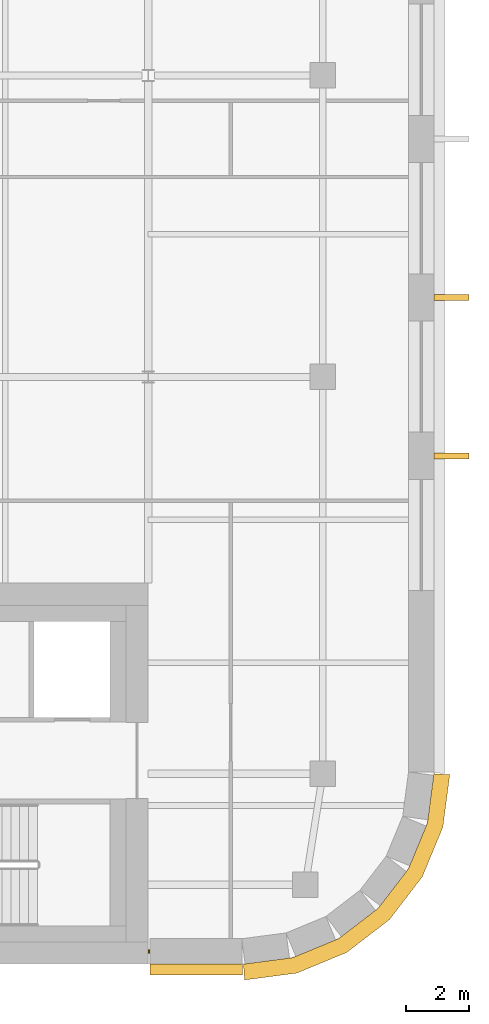
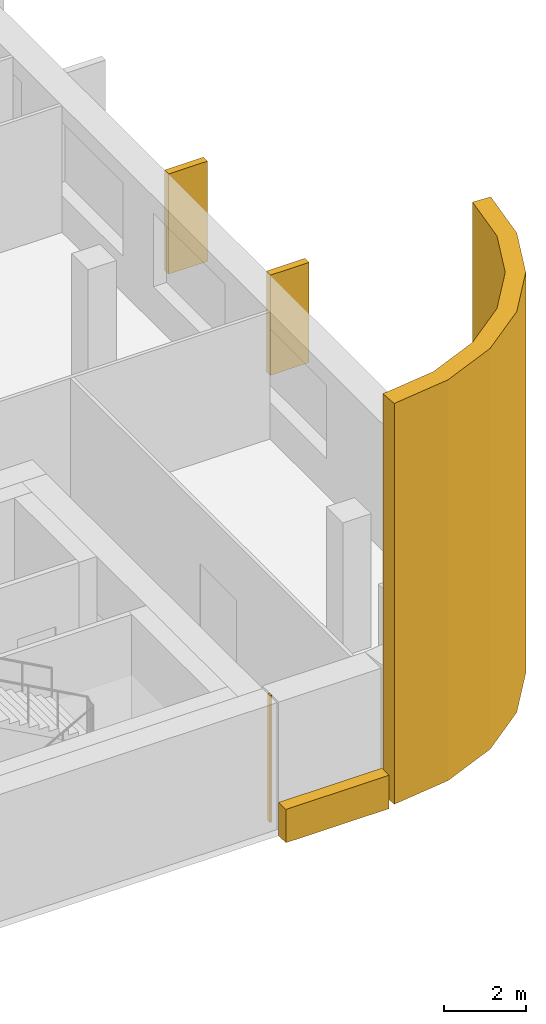
# One storey, part 15 of 16: 5 coverings.
"""IFC4 building model written with IfcOpenShell, lengths in metres."""

from ifc_helpers import new_model, si_unit, direction, frame, origin, origin_2d, place, context, subcontext, project, spatial, polyline, rectangle, outline, extrude, material, layer, layer_set, type_object, element, save


model = new_model("IFC4")

# Units and contexts
model_context = context("Model", 3, precision=1e-05, world=origin(), true_north=direction((0.0, 1.0)))
body_context = subcontext(model_context, "Body", "Model", "MODEL_VIEW")
ifc_project = project(units=[si_unit("LENGTHUNIT", "METRE"), si_unit("AREAUNIT", "SQUARE_METRE"), si_unit("VOLUMEUNIT", "CUBIC_METRE"), si_unit("PLANEANGLEUNIT", "RADIAN"), si_unit("MASSUNIT", "GRAM", prefix="KILO")], contexts=[model_context])

# Site, building, storey
site_placement = place(None, origin())
site = spatial("IfcSite", under=ifc_project, at=site_placement, CompositionType="ELEMENT")
building_placement = place(site_placement, origin())
building = spatial("IfcBuilding", under=site, at=building_placement, Name="Zellij Exchange Tower", CompositionType="ELEMENT")
storey_placement = place(building_placement, frame((0.0, 0.0, 244.5)))
storey = spatial("IfcBuildingStorey", under=building, at=storey_placement, Name="L57", CompositionType="ELEMENT", Elevation=244.5)

# Coverings
ifc_material = material(Name="Limestone cladding", Category="masonry")
ifc_layer_1 = layer(ifc_material, 0.35009765625)
ifc_layer_set_1 = layer_set([ifc_layer_1], Name="Limestone cladding")
covering_type_1 = type_object("IfcCoveringType", Name="ENV-CV10 Stone spandrel band 350", PredefinedType="CLADDING", material=ifc_layer_set_1)
covering_1_placement = place(storey_placement, frame((0.0, 0.0, -0.199951171875)))
element("IfcCovering", 1, at=covering_1_placement, inside=storey, type_object=covering_type_1, Name="Stone spandrel band", PredefinedType="CLADDING", context=body_context, shape_type="SweptSolid", body=[
    extrude(outline(polyline([(27.050048828125, -14.0), (29.973876953125, -14.0), (29.973876953125, -14.35009765625), (27.050048828125, -14.35009765625), (27.050048828125, -14.0)])), origin(), (0.0, 0.0, 1.0), 1.0),
])
ifc_layer_2 = layer(ifc_material, 0.5)
ifc_layer_set_2 = layer_set([ifc_layer_2], Name="Limestone cladding")
covering_type_2 = type_object("IfcCoveringType", Name="ENV-CV12 Stone corner pier 500", PredefinedType="CLADDING", material=ifc_layer_set_2)
covering_2_placement = place(storey_placement, origin())
element("IfcCovering", 2, at=covering_2_placement, inside=storey, type_object=covering_type_2, Name="Stone corner pier", PredefinedType="CLADDING", context=body_context, shape_type="SweptSolid", body=[
    extrude(outline(polyline([(30.0, -14.0), (31.552978515625, -13.795654296875), (33.0, -13.1962890625), (34.24267578125, -12.24267578125), (35.1962890625, -11.0), (35.795654296875, -9.552978515625), (36.0, -8.0), (36.5, -8.03271484375), (36.28271484375, -9.683349609375), (35.6328125, -11.252197265625), (34.59912109375, -12.59912109375), (33.252197265625, -13.6328125), (31.683349609375, -14.28271484375), (30.03271484375, -14.5), (30.0, -14.0)])), origin(), (0.0, 0.0, 1.0), 12.0),
])
ifc_layer_3 = layer(ifc_material, 0.1201171875)
ifc_layer_set_3 = layer_set([ifc_layer_3], Name="Limestone cladding")
covering_type_3 = type_object("IfcCoveringType", Name="ENV-CV18 Glazing closer 120", PredefinedType="CLADDING", material=ifc_layer_set_3)
covering_3_placement = place(storey_placement, frame((27.02490234375, -13.60009765625, 0.0), z_axis=(0.0, 0.0, 1.0), x_axis=(-1.0, 0.0, 0.0)))
element("IfcCovering", 3, at=covering_3_placement, inside=storey, type_object=covering_type_3, Name="Glazing closer", PredefinedType="CLADDING", context=body_context, shape_type="SweptSolid", body=[
    extrude(rectangle(XDim=0.050048828125, YDim=0.1201171875, at=origin_2d()), origin(), (0.0, 0.0, 1.0), 3.800048828125),
])
covering_type_4 = type_object("IfcCoveringType", Name="ENV-CV6 Stone pier 200x1100", PredefinedType="CLADDING", material=ifc_material)
covering_4_placement = place(storey_placement, frame((0.0, 0.0, 0.800048828125)))
element("IfcCovering", 4, at=covering_4_placement, inside=storey, type_object=covering_type_4, Name="Stone pier", PredefinedType="CLADDING", context=body_context, shape_type="SweptSolid", body=[
    extrude(outline(polyline([(36.0, 1.9111328125), (36.0, 2.111083984375), (37.10009765625, 2.111083984375), (37.10009765625, 1.9111328125), (36.0, 1.9111328125)])), origin(), (0.0, 0.0, 1.0), 3.0),
])
covering_5_placement = place(storey_placement, frame((0.0, 0.0, 0.800048828125)))
element("IfcCovering", 5, at=covering_5_placement, inside=storey, type_object=covering_type_4, Name="Stone pier", PredefinedType="CLADDING", context=body_context, shape_type="SweptSolid", body=[
    extrude(outline(polyline([(36.0, 6.90380859375), (36.0, 7.103759765625), (37.10009765625, 7.103759765625), (37.10009765625, 6.90380859375), (36.0, 6.90380859375)])), origin(), (0.0, 0.0, 1.0), 3.0),
])

save(model, "model.ifc")
